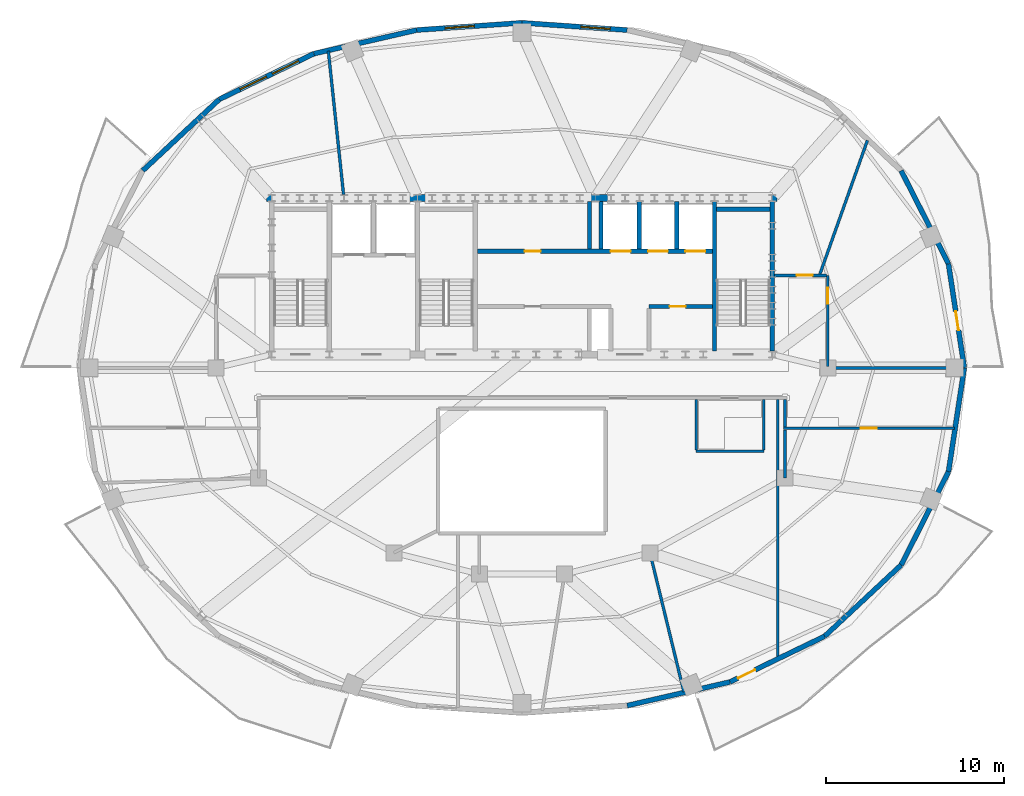
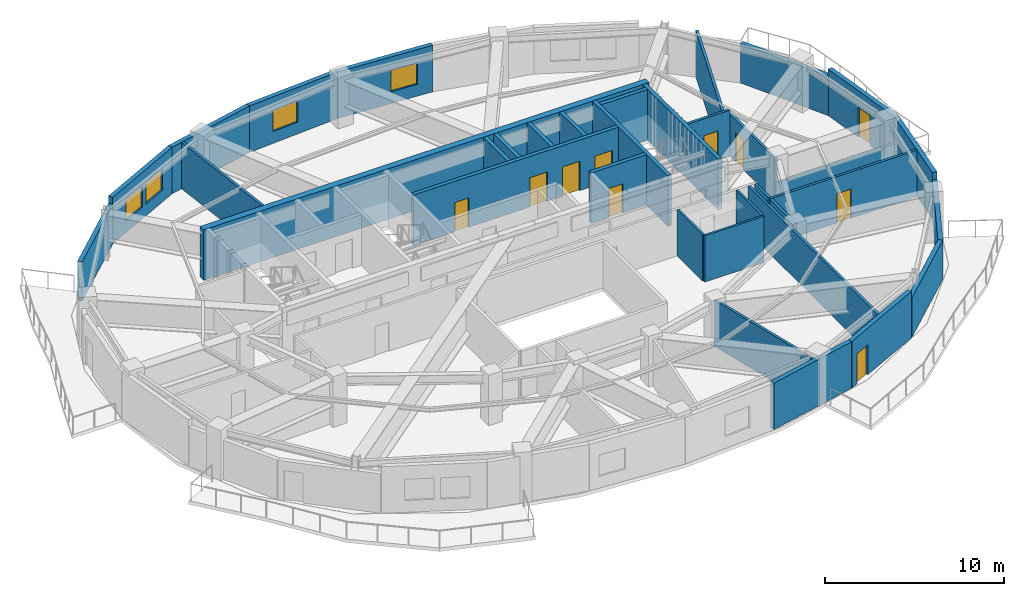
# One storey, part 5 of 10: 35 walls, 10 doors, 4 windows, 14 openings.
"""IFC4 building model written with IfcOpenShell, lengths in metres."""

from ifc_helpers import new_model, si_unit, direction, frame, frame_2d, origin, place, context, subcontext, project, spatial, rectangle, extrude, material, layer, layer_set, type_object, element, fill, save


model = new_model("IFC4")

# Units and contexts
model_context = context("Model", 3, precision=1e-05, world=origin(), true_north=direction((0.0, 1.0)))
body_context = subcontext(model_context, "Body", "Model", "MODEL_VIEW")
ifc_project = project(units=[si_unit("LENGTHUNIT", "METRE"), si_unit("AREAUNIT", "SQUARE_METRE"), si_unit("VOLUMEUNIT", "CUBIC_METRE"), si_unit("PLANEANGLEUNIT", "RADIAN"), si_unit("MASSUNIT", "GRAM", prefix="KILO")], contexts=[model_context])

# Site, building, storey
site_placement = place(None, origin())
site = spatial("IfcSite", under=ifc_project, at=site_placement, CompositionType="ELEMENT")
building_placement = place(site_placement, origin())
building = spatial("IfcBuilding", under=site, at=building_placement, Name="Haldorwick Loom Tower", CompositionType="ELEMENT")
storey_placement = place(building_placement, frame((0.0, 0.0, 269.550048828125)))
storey = spatial("IfcBuildingStorey", under=building, at=storey_placement, Name="L73", CompositionType="ELEMENT", Elevation=269.550048828125)

# Wall, opening, door
ifc_material_1 = material(Name="Pressed Clay Face Brick and Insulated Masonry Backup Assembly", Category="masonry")
ifc_layer_1 = layer(ifc_material_1, 0.280029296875, Name="Pressed Clay Face Brick and Insulated Masonry Backup Assembly", Category="masonry")
ifc_layer_set_1 = layer_set([ifc_layer_1], Name="Pressed Clay Face Brick and Insulated Masonry Backup Assembly")
wall_type_1 = type_object("IfcWallType", Name="ARC-WL-EXT280", PredefinedType="STANDARD", material=ifc_layer_set_1)
wall_1_placement = place(storey_placement, frame((60.876708984375, 26.0, 0.0), z_axis=(0.0, 0.0, 1.0), x_axis=(-0.150497234153, 0.988610430105, 0.0)))
wall_1 = element("IfcWall", 1, at=wall_1_placement, inside=storey, type_object=wall_type_1, Name="L73 Brick Pier and Spandrel Wall 1", PredefinedType="STANDARD", context=body_context, shape_type="SweptSolid", body=[
    extrude(rectangle(XDim=5.916259765625, YDim=0.280029296875, at=frame_2d((2.9580078125, 0.0))), origin(), (0.0, 0.0, 1.0), 3.169921875),
])
opening_1_placement = place(wall_1_placement, frame((2.147216796875, 0.0, 0.0)))
opening_1 = element("IfcOpeningElement", 2, at=opening_1_placement, cuts=wall_1, Name="Opening D-BL11", PredefinedType="OPENING", context=body_context, shape_type="SweptSolid", body=[
    extrude(rectangle(XDim=1.080078125, YDim=2.0400390625, at=frame_2d((0.5400390625, 1.02001953125))), frame((0.0, 0.14990234375, 0.0), z_axis=(0.0, -1.0, 0.0), x_axis=(1.0, 0.0, 0.0)), (0.0, 0.0, 1.0), 0.300048828125),
])
ifc_material_2 = material(Name="Thermally Broken Anodized Aluminium Curtain Wall Framing", Category="aluminium")
door_type_1 = type_object("IfcDoorType", Name="ARC-DR-BAL110", OperationType="NOTDEFINED", PredefinedType="DOOR", material=ifc_material_2)
door_1_placement = place(opening_1_placement, origin())
door_1 = element("IfcDoor", 3, at=door_1_placement, inside=storey, type_object=door_type_1, Name="L73 Outdoor Terrace Door SLB-L73-BAL_ENE", OperationType="SINGLE_SWING_RIGHT", OverallHeight=2.0400390625, OverallWidth=1.080078125, PredefinedType="DOOR", context=body_context, shape_type="SweptSolid", body=[
    extrude(rectangle(XDim=1.080078125, YDim=2.0400390625, at=frame_2d((0.5400390625, 1.02001953125))), frame((0.0, 0.02490234375, 0.0), z_axis=(0.0, -1.0, 0.0), x_axis=(1.0, 0.0, 0.0)), (0.0, 0.0, 1.0), 0.050048828125),
])
fill(opening_1, door_1)

# Wall
wall_2_placement = place(storey_placement, frame((59.986328125, 31.848876953125, 0.0), z_axis=(0.0, 0.0, 1.0), x_axis=(-0.453100705059, 0.89145933787, 0.0)))
element("IfcWall", 4, at=wall_2_placement, inside=storey, type_object=wall_type_1, Name="L73 Brick Pier and Spandrel Wall 2", PredefinedType="STANDARD", context=body_context, shape_type="SweptSolid", body=[
    extrude(rectangle(XDim=5.879150390625, YDim=0.280029296875, at=frame_2d((2.939453125, 0.0))), origin(), (0.0, 0.0, 1.0), 2.678955078125),
])

# Wall, opening, window
wall_3_placement = place(storey_placement, frame((41.91943359375, 44.993896484375, 0.0), z_axis=(0.0, 0.0, 1.0), x_axis=(-0.997656066566, 0.068427865986, 0.0)))
wall_3 = element("IfcWall", 5, at=wall_3_placement, inside=storey, type_object=wall_type_1, Name="L73 Brick Pier and Spandrel Wall 6", PredefinedType="STANDARD", context=body_context, shape_type="SweptSolid", body=[
    extrude(rectangle(XDim=5.933349609375, YDim=0.280029296875, at=frame_2d((2.966796875, 0.0))), origin(), (0.0, 0.0, 1.0), 3.169921875),
])
opening_2_placement = place(wall_3_placement, frame((0.955078125, 0.0, 0.800048828125)))
opening_2 = element("IfcOpeningElement", 6, at=opening_2_placement, cuts=wall_3, Name="Opening W-01B", PredefinedType="OPENING", context=body_context, shape_type="SweptSolid", body=[
    extrude(rectangle(XDim=1.64990234375, YDim=1.449951171875, at=frame_2d((0.824951171875, 0.72509765625))), frame((0.0, 0.14990234375, 0.0), z_axis=(0.0, -1.0, 0.0), x_axis=(1.0, 0.0, 0.0)), (0.0, 0.0, 1.0), 0.300048828125),
])
ifc_material_3 = material(Name="Triple-Glazed Low-E Argon Insulated Glazing Unit", Category="glass")
window_type = type_object("IfcWindowType", Name="ARC-WIN-W165", PartitioningType="SINGLE_PANEL", PredefinedType="WINDOW", material=ifc_material_3)
window_1_placement = place(opening_2_placement, origin())
window_1 = element("IfcWindow", 7, at=window_1_placement, inside=storey, type_object=window_type, Name="L73 Deep-Set Zone 7A Window 6", OverallHeight=1.449951171875, OverallWidth=1.64990234375, PartitioningType="SINGLE_PANEL", PredefinedType="WINDOW", context=body_context, shape_type="SweptSolid", body=[
    extrude(rectangle(XDim=1.64990234375, YDim=1.449951171875, at=frame_2d((0.824951171875, 0.72509765625))), frame((0.0, 0.030029296875, 0.0), z_axis=(0.0, -1.0, 0.0), x_axis=(1.0, 0.0, 0.0)), (0.0, 0.0, 1.0), 0.06005859375),
])
fill(opening_2, window_1)

wall_4_placement = place(storey_placement, frame((36.0, 45.39990234375, 0.0), z_axis=(0.0, 0.0, 1.0), x_axis=(-0.997656066566, -0.068427865986, 0.0)))
wall_4 = element("IfcWall", 8, at=wall_4_placement, inside=storey, type_object=wall_type_1, Name="L73 Brick Pier and Spandrel Wall 7", PredefinedType="STANDARD", context=body_context, shape_type="SweptSolid", body=[
    extrude(rectangle(XDim=5.933349609375, YDim=0.280029296875, at=frame_2d((2.966796875, 0.0))), origin(), (0.0, 0.0, 1.0), 3.169921875),
])
opening_3_placement = place(wall_4_placement, frame((2.68212890625, 0.0, 0.800048828125)))
opening_3 = element("IfcOpeningElement", 9, at=opening_3_placement, cuts=wall_4, Name="Opening W-01B", PredefinedType="OPENING", context=body_context, shape_type="SweptSolid", body=[
    extrude(rectangle(XDim=1.64990234375, YDim=1.449951171875, at=frame_2d((0.824951171875, 0.72509765625))), frame((0.0, 0.14990234375, 0.0), z_axis=(0.0, -1.0, 0.0), x_axis=(1.0, 0.0, 0.0)), (0.0, 0.0, 1.0), 0.300048828125),
])
window_2_placement = place(opening_3_placement, origin())
window_2 = element("IfcWindow", 10, at=window_2_placement, inside=storey, type_object=window_type, Name="L73 Deep-Set Zone 7A Window 7", OverallHeight=1.449951171875, OverallWidth=1.64990234375, PartitioningType="SINGLE_PANEL", PredefinedType="WINDOW", context=body_context, shape_type="SweptSolid", body=[
    extrude(rectangle(XDim=1.64990234375, YDim=1.449951171875, at=frame_2d((0.824951171875, 0.72509765625))), frame((0.0, 0.030029296875, 0.0), z_axis=(0.0, -1.0, 0.0), x_axis=(1.0, 0.0, 0.0)), (0.0, 0.0, 1.0), 0.06005859375),
])
fill(opening_3, window_2)

# Wall
wall_5_placement = place(storey_placement, frame((30.08056640625, 44.993896484375, 0.0), z_axis=(0.0, 0.0, 1.0), x_axis=(-0.974589984037, -0.223996345987, 0.0)))
element("IfcWall", 11, at=wall_5_placement, inside=storey, type_object=wall_type_1, Name="L73 Brick Pier and Spandrel Wall 8", PredefinedType="STANDARD", context=body_context, shape_type="SweptSolid", body=[
    extrude(rectangle(XDim=5.92919921875, YDim=0.280029296875, at=frame_2d((2.964599609375, 0.0))), origin(), (0.0, 0.0, 1.0), 3.169921875),
])

# Wall, openings, windows
wall_6_placement = place(storey_placement, frame((24.302001953125, 43.665771484375, 0.0), z_axis=(0.0, 0.0, 1.0), x_axis=(-0.900481907967, -0.434893473651, 0.0)))
wall_6 = element("IfcWall", 12, at=wall_6_placement, inside=storey, type_object=wall_type_1, Name="L73 Brick Pier and Spandrel Wall 9", PredefinedType="STANDARD", context=body_context, shape_type="SweptSolid", body=[
    extrude(rectangle(XDim=5.90966796875, YDim=0.280029296875, at=frame_2d((2.954833984375, 0.0))), origin(), (0.0, 0.0, 1.0), 3.169921875),
])
opening_4_placement = place(wall_6_placement, frame((0.947998046875, 0.0, 0.800048828125)))
opening_4 = element("IfcOpeningElement", 13, at=opening_4_placement, cuts=wall_6, Name="Opening W-01B", PredefinedType="OPENING", context=body_context, shape_type="SweptSolid", body=[
    extrude(rectangle(XDim=1.64990234375, YDim=1.449951171875, at=frame_2d((0.824951171875, 0.72509765625))), frame((0.0, 0.14990234375, 0.0), z_axis=(0.0, -1.0, 0.0), x_axis=(1.0, 0.0, 0.0)), (0.0, 0.0, 1.0), 0.300048828125),
])
opening_5_placement = place(wall_6_placement, frame((2.965087890625, 0.0, 0.800048828125)))
opening_5 = element("IfcOpeningElement", 14, at=opening_5_placement, cuts=wall_6, Name="Opening W-01B", PredefinedType="OPENING", context=body_context, shape_type="SweptSolid", body=[
    extrude(rectangle(XDim=1.64990234375, YDim=1.449951171875, at=frame_2d((0.824951171875, 0.72509765625))), frame((0.0, 0.14990234375, 0.0), z_axis=(0.0, -1.0, 0.0), x_axis=(1.0, 0.0, 0.0)), (0.0, 0.0, 1.0), 0.300048828125),
])
window_3_placement = place(opening_4_placement, origin())
window_3 = element("IfcWindow", 15, at=window_3_placement, inside=storey, type_object=window_type, Name="L73 Deep-Set Zone 7A Window 9", OverallHeight=1.449951171875, OverallWidth=1.64990234375, PartitioningType="SINGLE_PANEL", PredefinedType="WINDOW", context=body_context, shape_type="SweptSolid", body=[
    extrude(rectangle(XDim=1.64990234375, YDim=1.449951171875, at=frame_2d((0.824951171875, 0.72509765625))), frame((0.0, 0.030029296875, 0.0), z_axis=(0.0, -1.0, 0.0), x_axis=(1.0, 0.0, 0.0)), (0.0, 0.0, 1.0), 0.06005859375),
])
fill(opening_4, window_3)
window_4_placement = place(opening_5_placement, origin())
window_4 = element("IfcWindow", 16, at=window_4_placement, inside=storey, type_object=window_type, Name="L73 Deep-Set Zone 7A Window 9", OverallHeight=1.449951171875, OverallWidth=1.64990234375, PartitioningType="SINGLE_PANEL", PredefinedType="WINDOW", context=body_context, shape_type="SweptSolid", body=[
    extrude(rectangle(XDim=1.64990234375, YDim=1.449951171875, at=frame_2d((0.824951171875, 0.72509765625))), frame((0.0, 0.030029296875, 0.0), z_axis=(0.0, -1.0, 0.0), x_axis=(1.0, 0.0, 0.0)), (0.0, 0.0, 1.0), 0.06005859375),
])
fill(opening_5, window_4)

# Walls
wall_7_placement = place(storey_placement, frame((18.98046875, 41.095703125, 0.0), z_axis=(0.0, 0.0, 1.0), x_axis=(-0.731924682982, -0.68138554317, 0.0)))
element("IfcWall", 17, at=wall_7_placement, inside=storey, type_object=wall_type_1, Name="L73 Brick Pier and Spandrel Wall 10", PredefinedType="STANDARD", context=body_context, shape_type="SweptSolid", body=[
    extrude(rectangle(XDim=5.87890625, YDim=0.280029296875, at=frame_2d((2.939453125, 0.0))), origin(), (0.0, 0.0, 1.0), 2.678955078125),
])
wall_8_placement = place(storey_placement, frame((41.91943359375, 7.006103515625, 0.0), z_axis=(0.0, 0.0, 1.0), x_axis=(0.974589984037, 0.223996345987, 0.0)))
element("IfcWall", 18, at=wall_8_placement, inside=storey, type_object=wall_type_1, Name="L73 Brick Pier and Spandrel Wall 20", PredefinedType="STANDARD", context=body_context, shape_type="SweptSolid", body=[
    extrude(rectangle(XDim=5.92919921875, YDim=0.280029296875, at=frame_2d((2.964599609375, 0.0))), origin(), (0.0, 0.0, 1.0), 3.169921875),
])

# Wall, opening, door
wall_9_placement = place(storey_placement, frame((47.697998046875, 8.334228515625, 0.0), z_axis=(0.0, 0.0, 1.0), x_axis=(0.900481907967, 0.434893473651, 0.0)))
wall_9 = element("IfcWall", 19, at=wall_9_placement, inside=storey, type_object=wall_type_1, Name="L73 Brick Pier and Spandrel Wall 21", PredefinedType="STANDARD", context=body_context, shape_type="SweptSolid", body=[
    extrude(rectangle(XDim=5.90966796875, YDim=0.280029296875, at=frame_2d((2.954833984375, 0.0))), origin(), (0.0, 0.0, 1.0), 3.169921875),
])
opening_6_placement = place(wall_9_placement, frame((0.495849609375, 0.0, 0.0)))
opening_6 = element("IfcOpeningElement", 20, at=opening_6_placement, cuts=wall_9, Name="Opening D-BL11", PredefinedType="OPENING", context=body_context, shape_type="SweptSolid", body=[
    extrude(rectangle(XDim=1.080078125, YDim=2.0400390625, at=frame_2d((0.5400390625, 1.02001953125))), frame((0.0, 0.14990234375, 0.0), z_axis=(0.0, -1.0, 0.0), x_axis=(1.0, 0.0, 0.0)), (0.0, 0.0, 1.0), 0.300048828125),
])
door_2_placement = place(opening_6_placement, origin())
door_2 = element("IfcDoor", 21, at=door_2_placement, inside=storey, type_object=door_type_1, Name="L73 Outdoor Terrace Door SLB-L73-BAL_SE", OperationType="SINGLE_SWING_RIGHT", OverallHeight=2.0400390625, OverallWidth=1.080078125, PredefinedType="DOOR", context=body_context, shape_type="SweptSolid", body=[
    extrude(rectangle(XDim=1.080078125, YDim=2.0400390625, at=frame_2d((0.5400390625, 1.02001953125))), frame((0.0, 0.02490234375, 0.0), z_axis=(0.0, -1.0, 0.0), x_axis=(1.0, 0.0, 0.0)), (0.0, 0.0, 1.0), 0.050048828125),
])
fill(opening_6, door_2)

# Walls
wall_10_placement = place(storey_placement, frame((53.01953125, 10.904296875, 0.0), z_axis=(0.0, 0.0, 1.0), x_axis=(0.731924682982, 0.68138554317, 0.0)))
element("IfcWall", 22, at=wall_10_placement, inside=storey, type_object=wall_type_1, Name="L73 Brick Pier and Spandrel Wall 22", PredefinedType="STANDARD", context=body_context, shape_type="SweptSolid", body=[
    extrude(rectangle(XDim=5.87890625, YDim=0.280029296875, at=frame_2d((2.939453125, 0.0))), origin(), (0.0, 0.0, 1.0), 2.678955078125),
])
wall_11_placement = place(storey_placement, frame((57.322509765625, 14.91015625, 0.0), z_axis=(0.0, 0.0, 1.0), x_axis=(0.453100705059, 0.89145933787, 0.0)))
element("IfcWall", 23, at=wall_11_placement, inside=storey, type_object=wall_type_1, Name="L73 Brick Pier and Spandrel Wall 23", PredefinedType="STANDARD", context=body_context, shape_type="SweptSolid", body=[
    extrude(rectangle(XDim=5.879150390625, YDim=0.280029296875, at=frame_2d((2.939453125, 0.0))), origin(), (0.0, 0.0, 1.0), 2.678955078125),
])
wall_12_placement = place(storey_placement, frame((59.986328125, 20.151123046875, 0.0), z_axis=(0.0, 0.0, 1.0), x_axis=(0.150497234153, 0.988610430105, 0.0)))
element("IfcWall", 24, at=wall_12_placement, inside=storey, type_object=wall_type_1, Name="L73 Brick Pier and Spandrel Wall 24", PredefinedType="STANDARD", context=body_context, shape_type="SweptSolid", body=[
    extrude(rectangle(XDim=5.916259765625, YDim=0.280029296875, at=frame_2d((2.9580078125, 0.0))), origin(), (0.0, 0.0, 1.0), 3.169921875),
])

# Wall, opening, door
ifc_material_4 = material(Name="Fire-Rated Type X Gypsum Stud Assembly EI 60")
ifc_layer_2 = layer(ifc_material_4, 0.159912109375, Name="Fire-Rated Type X Gypsum Stud Assembly EI 60")
ifc_layer_set_2 = layer_set([ifc_layer_2], Name="Fire-Rated Type X Gypsum Stud Assembly EI 60")
wall_type_2 = type_object("IfcWallType", Name="ARC-WL-FIRE160", PredefinedType="PARTITIONING", material=ifc_layer_set_2)
wall_13_placement = place(storey_placement, frame((50.699951171875, 22.60009765625, 0.0), z_axis=(0.0, 0.0, 1.0), x_axis=(1.0, 0.0, 0.0)))
wall_13 = element("IfcWall", 25, at=wall_13_placement, inside=storey, type_object=wall_type_2, Name="L73 Residential Fire Partition L73-CR-SPE", PredefinedType="PARTITIONING", context=body_context, shape_type="SweptSolid", body=[
    extrude(rectangle(XDim=9.61376953125, YDim=0.159912109375, at=frame_2d((4.806884765625, 0.0))), origin(), (0.0, 0.0, 1.0), 3.155029296875),
])
opening_7_placement = place(wall_13_placement, frame((4.356689453125, 0.0, 0.0)))
opening_7 = element("IfcOpeningElement", 26, at=opening_7_placement, cuts=wall_13, Name="Opening D-FD60A", PredefinedType="OPENING", context=body_context, shape_type="SweptSolid", body=[
    extrude(rectangle(XDim=0.89990234375, YDim=2.0, at=frame_2d((0.449951171875, 1.0))), frame((0.0, 0.08984375, 0.0), z_axis=(0.0, -1.0, 0.0), x_axis=(1.0, 0.0, 0.0)), (0.0, 0.0, 1.0), 0.179931640625),
])
ifc_material_5 = material(Name="Hollow Steel Fire Door Assembly", Category="steel")
door_type_2 = type_object("IfcDoorType", Name="ARC-DR-FD60-90", OperationType="NOTDEFINED", PredefinedType="DOOR", material=ifc_material_5)
door_3_placement = place(opening_7_placement, origin())
door_3 = element("IfcDoor", 27, at=door_3_placement, inside=storey, type_object=door_type_2, Name="L73 L73 Central Residential Corridor to Shared Resident Dining Hall 1 Do", OperationType="SINGLE_SWING_RIGHT", OverallHeight=2.0, OverallWidth=0.89990234375, PredefinedType="DOOR", context=body_context, shape_type="SweptSolid", body=[
    extrude(rectangle(XDim=0.89990234375, YDim=2.0, at=frame_2d((0.449951171875, 1.0))), frame((0.0, 0.02490234375, 0.0), z_axis=(0.0, -1.0, 0.0), x_axis=(1.0, 0.0, 0.0)), (0.0, 0.0, 1.0), 0.050048828125),
])
fill(opening_7, door_3)

# Walls
wall_14_placement = place(storey_placement, frame((50.800048828125, 22.68310546875, 0.0), z_axis=(0.0, 0.0, 1.0), x_axis=(0.0, 1.0, 0.0)))
element("IfcWall", 28, at=wall_14_placement, inside=storey, type_object=wall_type_2, Name="L73 Residential Fire Partition L73-CR-STE", PredefinedType="PARTITIONING", context=body_context, shape_type="SweptSolid", body=[
    extrude(rectangle(XDim=1.533935546875, YDim=0.159912109375, at=frame_2d((0.76708984375, 0.0))), origin(), (0.0, 0.0, 1.0), 3.155029296875),
])
wall_15_placement = place(storey_placement, frame((53.10009765625, 26.0, 0.0), z_axis=(0.0, 0.0, 1.0), x_axis=(1.0, 0.0, 0.0)))
element("IfcWall", 29, at=wall_15_placement, inside=storey, type_object=wall_type_2, Name="L73 Residential Fire Partition L73-CR-NEL", PredefinedType="PARTITIONING", context=body_context, shape_type="SweptSolid", body=[
    extrude(rectangle(XDim=7.730224609375, YDim=0.159912109375, at=frame_2d((3.865234375, 0.0))), origin(), (0.0, 0.0, 1.0), 1.344970703125),
])

# Wall, opening, door
wall_16_placement = place(storey_placement, frame((53.199951171875, 26.0830078125, 0.0), z_axis=(0.0, 0.0, 1.0), x_axis=(0.0, 1.0, 0.0)))
wall_16 = element("IfcWall", 30, at=wall_16_placement, inside=storey, type_object=wall_type_2, Name="L73 Residential Fire Partition L73-CR-E0", PredefinedType="PARTITIONING", context=body_context, shape_type="SweptSolid", body=[
    extrude(rectangle(XDim=5.116943359375, YDim=0.159912109375, at=frame_2d((2.55859375, 0.0))), origin(), (0.0, 0.0, 1.0), 2.886962890625),
])
opening_8_placement = place(wall_16_placement, frame((3.517333984375, 0.0, 0.0)))
opening_8 = element("IfcOpeningElement", 31, at=opening_8_placement, cuts=wall_16, Name="Opening D-FD60A", PredefinedType="OPENING", context=body_context, shape_type="SweptSolid", body=[
    extrude(rectangle(XDim=0.89990234375, YDim=2.0, at=frame_2d((0.449951171875, 1.0))), frame((0.0, 0.08984375, 0.0), z_axis=(0.0, -1.0, 0.0), x_axis=(1.0, 0.0, 0.0)), (0.0, 0.0, 1.0), 0.179931640625),
])
door_4_placement = place(opening_8_placement, origin())
door_4 = element("IfcDoor", 32, at=door_4_placement, inside=storey, type_object=door_type_2, Name="L73 L73 Central Residential Corridor to Shared Tea Pantry 2 Door", OperationType="SINGLE_SWING_RIGHT", OverallHeight=2.0, OverallWidth=0.89990234375, PredefinedType="DOOR", context=body_context, shape_type="SweptSolid", body=[
    extrude(rectangle(XDim=0.89990234375, YDim=2.0, at=frame_2d((0.449951171875, 1.0))), frame((0.0, 0.02490234375, 0.0), z_axis=(0.0, -1.0, 0.0), x_axis=(1.0, 0.0, 0.0)), (0.0, 0.0, 1.0), 0.050048828125),
])
fill(opening_8, door_4)

wall_17_placement = place(storey_placement, frame((50.193115234375, 31.199951171875, 0.0), z_axis=(0.0, 0.0, 1.0), x_axis=(1.0, 0.0, 0.0)))
wall_17 = element("IfcWall", 33, at=wall_17_placement, inside=storey, type_object=wall_type_2, Name="L73 Residential Fire Partition L73-CR-ENJ", PredefinedType="PARTITIONING", context=body_context, shape_type="SweptSolid", body=[
    extrude(rectangle(XDim=2.923828125, YDim=0.159912109375, at=frame_2d((1.4619140625, 0.0))), origin(), (0.0, 0.0, 1.0), 3.155029296875),
])
opening_9_placement = place(wall_17_placement, frame((1.25634765625, 0.0, 0.0)))
opening_9 = element("IfcOpeningElement", 34, at=opening_9_placement, cuts=wall_17, Name="Opening D-FD60A", PredefinedType="OPENING", context=body_context, shape_type="SweptSolid", body=[
    extrude(rectangle(XDim=0.89990234375, YDim=2.0, at=frame_2d((0.449951171875, 1.0))), frame((0.0, 0.08984375, 0.0), z_axis=(0.0, -1.0, 0.0), x_axis=(1.0, 0.0, 0.0)), (0.0, 0.0, 1.0), 0.179931640625),
])
door_5_placement = place(opening_9_placement, frame((0.89990234375, 0.0, 0.0), z_axis=(0.0, 0.0, 1.0), x_axis=(-1.0, 0.0, 0.0)))
door_5 = element("IfcDoor", 35, at=door_5_placement, inside=storey, type_object=door_type_2, Name="L73 Shared Resident Dining Hall 7 to L73 Central Residential Corridor Do", OperationType="SINGLE_SWING_RIGHT", OverallHeight=2.0, OverallWidth=0.89990234375, PredefinedType="DOOR", context=body_context, shape_type="SweptSolid", body=[
    extrude(rectangle(XDim=0.89990234375, YDim=2.0, at=frame_2d((0.449951171875, 1.0))), frame((0.0, 0.02490234375, 0.0), z_axis=(0.0, -1.0, 0.0), x_axis=(1.0, 0.0, 0.0)), (0.0, 0.0, 1.0), 0.050048828125),
])
fill(opening_9, door_5)

# Walls
wall_18_placement = place(storey_placement, frame((43.199951171875, 15.60009765625, 0.0), z_axis=(0.0, 0.0, 1.0), x_axis=(0.236747280771, -0.971571266067, 0.0)))
element("IfcWall", 36, at=wall_18_placement, inside=storey, type_object=wall_type_2, Name="L73 Residential Fire Partition L73-ICR-03", PredefinedType="PARTITIONING", context=body_context, shape_type="SweptSolid", body=[
    extrude(rectangle(XDim=8.044677734375, YDim=0.159912109375, at=frame_2d((4.0224609375, 0.0))), origin(), (0.0, 0.0, 1.0), 3.155029296875),
])
wall_19_placement = place(storey_placement, frame((50.800048828125, 22.51708984375, 0.0), z_axis=(0.0, 0.0, 1.0), x_axis=(0.0, -1.0, 0.0)))
element("IfcWall", 37, at=wall_19_placement, inside=storey, type_object=wall_type_2, Name="L73 Residential Fire Partition L73-ICA-01", PredefinedType="PARTITIONING", context=body_context, shape_type="SweptSolid", body=[
    extrude(rectangle(XDim=2.717041015625, YDim=0.159912109375, at=frame_2d((1.3583984375, 0.0))), origin(), (0.0, 0.0, 1.0), 3.155029296875),
])
wall_20_placement = place(storey_placement, frame((25.968017578125, 35.7529296875, 0.0), z_axis=(0.0, 0.0, 1.0), x_axis=(-0.105238706196, 0.994446989396, 0.0)))
element("IfcWall", 38, at=wall_20_placement, inside=storey, type_object=wall_type_2, Name="L73 Residential Fire Partition L73-UPN-C3", PredefinedType="PARTITIONING", context=body_context, shape_type="SweptSolid", body=[
    extrude(rectangle(XDim=8.0986328125, YDim=0.159912109375, at=frame_2d((4.04931640625, 0.0))), origin(), (0.0, 0.0, 1.0), 3.155029296875),
])
wall_21_placement = place(storey_placement, frame((50.3857421875, 9.682373046875, 0.0), z_axis=(0.0, 0.0, 1.0), x_axis=(0.0, 1.0, 0.0)))
element("IfcWall", 39, at=wall_21_placement, inside=storey, type_object=wall_type_2, Name="L73 Suite Split Wall", PredefinedType="PARTITIONING", context=body_context, shape_type="SweptSolid", body=[
    extrude(rectangle(XDim=14.53466796875, YDim=0.159912109375, at=frame_2d((7.267333984375, 0.0))), origin(), (0.0, 0.0, 1.0), 3.155029296875),
])
wall_22_placement = place(storey_placement, frame((55.42919921875, 38.791015625, 0.0), z_axis=(0.0, 0.0, 1.0), x_axis=(-0.334862777737, -0.942266904909, 0.0)))
element("IfcWall", 40, at=wall_22_placement, inside=storey, type_object=wall_type_2, Name="L73 Suite Split Wall", PredefinedType="PARTITIONING", context=body_context, shape_type="SweptSolid", body=[
    extrude(rectangle(XDim=7.968017578125, YDim=0.159912109375, at=frame_2d((3.98388671875, 0.0))), origin(), (0.0, 0.0, 1.0), 3.155029296875),
])
ifc_layer_3 = layer(ifc_material_4, 0.139892578125, Name="Fire-Rated Type X Gypsum Stud Assembly EI 60")
ifc_layer_set_3 = layer_set([ifc_layer_3], Name="Fire-Rated Type X Gypsum Stud Assembly EI 60")
wall_type_3 = type_object("IfcWallType", Name="ARC-WL-PART140", PredefinedType="PARTITIONING", material=ifc_layer_set_3)
wall_23_placement = place(storey_placement, frame((45.800048828125, 21.300048828125, 0.0), z_axis=(0.0, 0.0, 1.0), x_axis=(1.0, 0.0, 0.0)))
element("IfcWall", 41, at=wall_23_placement, inside=storey, type_object=wall_type_3, Name="L73 Residential Fire Partition L73-CWC-S", PredefinedType="PARTITIONING", context=body_context, shape_type="SweptSolid", body=[
    extrude(rectangle(XDim=3.800048828125, YDim=0.139892578125, at=frame_2d((1.89990234375, 0.0))), origin(), (0.0, 0.0, 1.0), 3.155029296875),
])
for number, where, z_axis, x_axis, name in (
    (42, (45.800048828125, 21.373046875, 0.0), (0.0, 0.0, 1.0), (0.0, 1.0, 0.0), "L73 Residential Fire Partition L73-CWC-W"),
    (43, (49.60009765625, 21.373046875, 0.0), (0.0, 0.0, 1.0), (0.0, 1.0, 0.0), "L73 Residential Fire Partition L73-CWC-E"),
):
    element("IfcWall", number, at=place(storey_placement, frame(where, z_axis=z_axis, x_axis=x_axis)), inside=storey, type_object=wall_type_3, Name=name, PredefinedType="PARTITIONING", context=body_context, shape_type="SweptSolid", body=[
        extrude(rectangle(XDim=2.843994140625, YDim=0.139892578125, at=frame_2d((1.421875, 0.0))), origin(), (0.0, 0.0, 1.0), 3.155029296875),
    ])
ifc_material_6 = material(Name="Concrete C50 (50 MPa)", Category="concrete")
ifc_layer_4 = layer(ifc_material_6, 0.39990234375, Name="Concrete C50 (50 MPa)", Category="concrete")
ifc_layer_set_4 = layer_set([ifc_layer_4], Name="Concrete C50 (50 MPa)")
wall_type_4 = type_object("IfcWallType", Name="STR-WL-CORE400", PredefinedType="SHEAR", material=ifc_layer_set_4)
wall_24_placement = place(storey_placement, frame((50.35009765625, 35.550048828125, 0.0), z_axis=(0.0, 0.0, 1.0), x_axis=(-1.0, 0.0, 0.0)))
element("IfcWall", 44, at=wall_24_placement, inside=storey, type_object=wall_type_4, Name="L73 Core Shear Wall N", PredefinedType="SHEAR", context=body_context, shape_type="SweptSolid", body=[
    extrude(rectangle(XDim=28.7001953125, YDim=0.39990234375, at=frame_2d((14.35009765625, 0.0))), origin(), (0.0, 0.0, 1.0), 3.449951171875),
])
ifc_layer_5 = layer(ifc_material_6, 0.239990234375, Name="Concrete C50 (50 MPa)", Category="concrete")
ifc_layer_set_5 = layer_set([ifc_layer_5], Name="Concrete C50 (50 MPa)")
wall_type_5 = type_object("IfcWallType", Name="STR-WL-SHAFT240", PredefinedType="SHEAR", material=ifc_layer_set_5)
for number, where, z_axis, x_axis, name in (
    (45, (50.070068359375, 26.952880859375, 0.0), (0.0, 0.0, 1.0), (0.0, 1.0, 0.0), "L73 Core Shear Wall E"),
    (46, (46.830078125, 26.952880859375, 0.0), (0.0, 0.0, 1.0), (0.0, 1.0, 0.0), "L73 Core Shear Wall 4"),
):
    element("IfcWall", number, at=place(storey_placement, frame(where, z_axis=z_axis, x_axis=x_axis)), inside=storey, type_object=wall_type_5, Name=name, PredefinedType="SHEAR", context=body_context, shape_type="SweptSolid", body=[
        extrude(rectangle(XDim=8.39404296875, YDim=0.239990234375, at=frame_2d((4.197021484375, 0.0))), origin(), (0.0, 0.0, 1.0), 3.449951171875),
    ])
wall_25_placement = place(storey_placement, frame((46.952880859375, 34.919921875, 0.0), z_axis=(0.0, 0.0, 1.0), x_axis=(1.0, 0.0, 0.0)))
element("IfcWall", 47, at=wall_25_placement, inside=storey, type_object=wall_type_5, Name="L73 Core Shear Wall 4N", PredefinedType="SHEAR", context=body_context, shape_type="SweptSolid", body=[
    extrude(rectangle(XDim=2.994140625, YDim=0.239990234375, at=frame_2d((1.4970703125, 0.0))), origin(), (0.0, 0.0, 1.0), 3.449951171875),
])

# Wall, openings, doors
wall_26_placement = place(storey_placement, frame((33.492919921875, 32.550048828125, 0.0), z_axis=(0.0, 0.0, 1.0), x_axis=(1.0, 0.0, 0.0)))
wall_26 = element("IfcWall", 48, at=wall_26_placement, inside=storey, type_object=wall_type_5, Name="L73 Core Shear Wall LN", PredefinedType="SHEAR", context=body_context, shape_type="SweptSolid", body=[
    extrude(rectangle(XDim=13.214111328125, YDim=0.239990234375, at=frame_2d((6.60693359375, 0.0))), origin(), (0.0, 0.0, 1.0), 3.449951171875),
])
opening_10_placement = place(wall_26_placement, frame((2.656982421875, 0.0, 0.0)))
opening_10 = element("IfcOpeningElement", 49, at=opening_10_placement, cuts=wall_26, Name="Opening D-FD60A", PredefinedType="OPENING", context=body_context, shape_type="SweptSolid", body=[
    extrude(rectangle(XDim=0.89990234375, YDim=2.0, at=frame_2d((0.449951171875, 1.0))), frame((0.0, 0.1298828125, 0.0), z_axis=(0.0, -1.0, 0.0), x_axis=(1.0, 0.0, 0.0)), (0.0, 0.0, 1.0), 0.260009765625),
])
opening_11_placement = place(wall_26_placement, frame((7.4970703125, 0.0, 0.0)))
opening_11 = element("IfcOpeningElement", 50, at=opening_11_placement, cuts=wall_26, Name="Opening LD-H1", PredefinedType="OPENING", context=body_context, shape_type="SweptSolid", body=[
    extrude(rectangle(XDim=1.1201171875, YDim=2.0, at=frame_2d((0.56005859375, 1.0))), frame((0.0, 0.1298828125, 0.0), z_axis=(0.0, -1.0, 0.0), x_axis=(1.0, 0.0, 0.0)), (0.0, 0.0, 1.0), 0.260009765625),
])
opening_12_placement = place(wall_26_placement, frame((9.596923828125, 0.0, 0.0)))
opening_12 = element("IfcOpeningElement", 51, at=opening_12_placement, cuts=wall_26, Name="Opening LD-H2", PredefinedType="OPENING", context=body_context, shape_type="SweptSolid", body=[
    extrude(rectangle(XDim=1.1201171875, YDim=2.0, at=frame_2d((0.56005859375, 1.0))), frame((0.0, 0.1298828125, 0.0), z_axis=(0.0, -1.0, 0.0), x_axis=(1.0, 0.0, 0.0)), (0.0, 0.0, 1.0), 0.260009765625),
])
opening_13_placement = place(wall_26_placement, frame((11.697021484375, 0.0, 0.0)))
opening_13 = element("IfcOpeningElement", 52, at=opening_13_placement, cuts=wall_26, Name="Opening LD-H3", PredefinedType="OPENING", context=body_context, shape_type="SweptSolid", body=[
    extrude(rectangle(XDim=1.1201171875, YDim=2.0, at=frame_2d((0.56005859375, 1.0))), frame((0.0, 0.1298828125, 0.0), z_axis=(0.0, -1.0, 0.0), x_axis=(1.0, 0.0, 0.0)), (0.0, 0.0, 1.0), 0.260009765625),
])
door_6_placement = place(opening_10_placement, frame((0.89990234375, 0.0, 0.0), z_axis=(0.0, 0.0, 1.0), x_axis=(-1.0, 0.0, 0.0)))
door_6 = element("IfcDoor", 53, at=door_6_placement, inside=storey, type_object=door_type_2, Name="L73 Housekeeping Store Door", OperationType="SINGLE_SWING_LEFT", OverallHeight=2.0, OverallWidth=0.89990234375, PredefinedType="DOOR", context=body_context, shape_type="SweptSolid", body=[
    extrude(rectangle(XDim=0.89990234375, YDim=2.0, at=frame_2d((0.449951171875, 1.0))), frame((0.0, 0.02490234375, 0.0), z_axis=(0.0, -1.0, 0.0), x_axis=(1.0, 0.0, 0.0)), (0.0, 0.0, 1.0), 0.050048828125),
])
fill(opening_10, door_6)
door_type_3 = type_object("IfcDoorType", Name="ARC-DR-LD-PAX", OperationType="NOTDEFINED", PredefinedType="USERDEFINED", material=ifc_material_5)
door_7_placement = place(opening_11_placement, origin())
door_7 = element("IfcDoor", 54, at=door_7_placement, inside=storey, type_object=door_type_3, Name="L73 Lift LF-H1 Sliding Landing Door", ObjectType="LANDING DOOR", OperationType="DOUBLE_DOOR_SLIDING", OverallHeight=2.0, OverallWidth=1.1201171875, PredefinedType="USERDEFINED", context=body_context, shape_type="SweptSolid", body=[
    extrude(rectangle(XDim=1.1201171875, YDim=2.0, at=frame_2d((0.56005859375, 1.0))), frame((0.0, 0.02490234375, 0.0), z_axis=(0.0, -1.0, 0.0), x_axis=(1.0, 0.0, 0.0)), (0.0, 0.0, 1.0), 0.050048828125),
])
fill(opening_11, door_7)
door_8_placement = place(opening_12_placement, origin())
door_8 = element("IfcDoor", 55, at=door_8_placement, inside=storey, type_object=door_type_3, Name="L73 Lift LF-H2 Sliding Landing Door", ObjectType="LANDING DOOR", OperationType="DOUBLE_DOOR_SLIDING", OverallHeight=2.0, OverallWidth=1.1201171875, PredefinedType="USERDEFINED", context=body_context, shape_type="SweptSolid", body=[
    extrude(rectangle(XDim=1.1201171875, YDim=2.0, at=frame_2d((0.56005859375, 1.0))), frame((0.0, 0.02490234375, 0.0), z_axis=(0.0, -1.0, 0.0), x_axis=(1.0, 0.0, 0.0)), (0.0, 0.0, 1.0), 0.050048828125),
])
fill(opening_12, door_8)
door_9_placement = place(opening_13_placement, origin())
door_9 = element("IfcDoor", 56, at=door_9_placement, inside=storey, type_object=door_type_3, Name="L73 Lift LF-H3 Sliding Landing Door", ObjectType="LANDING DOOR", OperationType="DOUBLE_DOOR_SLIDING", OverallHeight=2.0, OverallWidth=1.1201171875, PredefinedType="USERDEFINED", context=body_context, shape_type="SweptSolid", body=[
    extrude(rectangle(XDim=1.1201171875, YDim=2.0, at=frame_2d((0.56005859375, 1.0))), frame((0.0, 0.02490234375, 0.0), z_axis=(0.0, -1.0, 0.0), x_axis=(1.0, 0.0, 0.0)), (0.0, 0.0, 1.0), 0.050048828125),
])
fill(opening_13, door_9)

# Wall, opening, door
wall_27_placement = place(storey_placement, frame((43.14990234375, 29.449951171875, 0.0), z_axis=(0.0, 0.0, 1.0), x_axis=(1.0, 0.0, 0.0)))
wall_27 = element("IfcWall", 57, at=wall_27_placement, inside=storey, type_object=wall_type_5, Name="L73 Core Shear Wall LS2", PredefinedType="SHEAR", context=body_context, shape_type="SweptSolid", body=[
    extrude(rectangle(XDim=3.55712890625, YDim=0.239990234375, at=frame_2d((1.778564453125, 0.0))), origin(), (0.0, 0.0, 1.0), 3.449951171875),
])
opening_14_placement = place(wall_27_placement, frame((1.14990234375, 0.0, 0.0)))
opening_14 = element("IfcOpeningElement", 58, at=opening_14_placement, cuts=wall_27, Name="Opening D-FD60A", PredefinedType="OPENING", context=body_context, shape_type="SweptSolid", body=[
    extrude(rectangle(XDim=0.89990234375, YDim=2.0, at=frame_2d((0.449951171875, 1.0))), frame((0.0, 0.1298828125, 0.0), z_axis=(0.0, -1.0, 0.0), x_axis=(1.0, 0.0, 0.0)), (0.0, 0.0, 1.0), 0.260009765625),
])
door_10_placement = place(opening_14_placement, origin())
door_10 = element("IfcDoor", 59, at=door_10_placement, inside=storey, type_object=door_type_2, Name="L73 Electrical Metering Door", OperationType="SINGLE_SWING_LEFT", OverallHeight=2.0, OverallWidth=0.89990234375, PredefinedType="DOOR", context=body_context, shape_type="SweptSolid", body=[
    extrude(rectangle(XDim=0.89990234375, YDim=2.0, at=frame_2d((0.449951171875, 1.0))), frame((0.0, 0.02490234375, 0.0), z_axis=(0.0, -1.0, 0.0), x_axis=(1.0, 0.0, 0.0)), (0.0, 0.0, 1.0), 0.050048828125),
])
fill(opening_14, door_10)

# Walls
for number, where, z_axis, x_axis, name in (
    (60, (39.800048828125, 32.673095703125, 0.0), (0.0, 0.0, 1.0), (0.0, 1.0, 0.0), "L73 Core Shear Wall LHW"),
    (61, (40.449951171875, 32.673095703125, 0.0), (0.0, 0.0, 1.0), (0.0, 1.0, 0.0), "L73 Core Shear Wall H0"),
    (62, (42.60009765625, 32.673095703125, 0.0), (0.0, 0.0, 1.0), (0.0, 1.0, 0.0), "L73 Core Shear Wall H1"),
    (63, (44.699951171875, 32.673095703125, 0.0), (0.0, 0.0, 1.0), (0.0, 1.0, 0.0), "L73 Core Shear Wall H2"),
):
    element("IfcWall", number, at=place(storey_placement, frame(where, z_axis=z_axis, x_axis=x_axis)), inside=storey, type_object=wall_type_5, Name=name, PredefinedType="SHEAR", context=body_context, shape_type="SweptSolid", body=[
        extrude(rectangle(XDim=2.673828125, YDim=0.239990234375, at=frame_2d((1.3369140625, 0.0))), origin(), (0.0, 0.0, 1.0), 3.449951171875),
    ])

save(model, "model.ifc")
